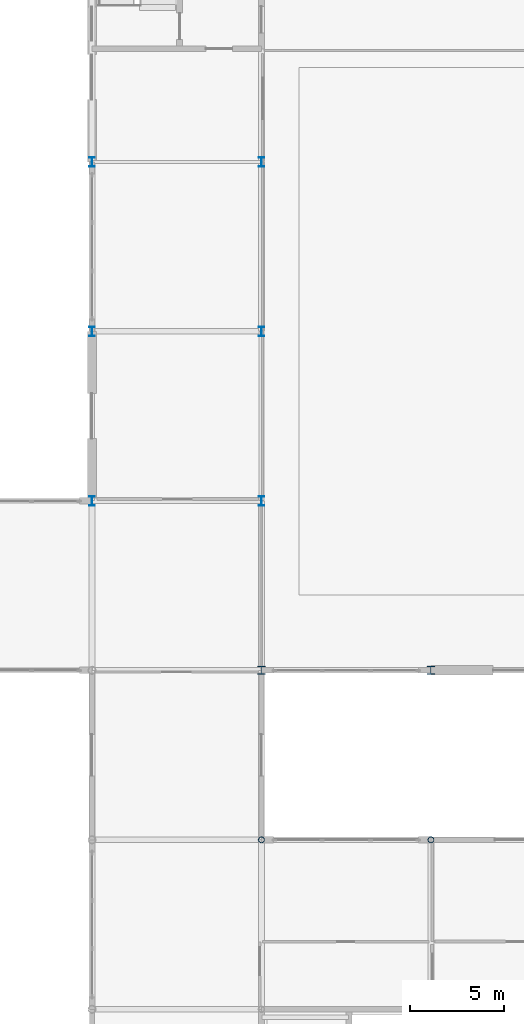
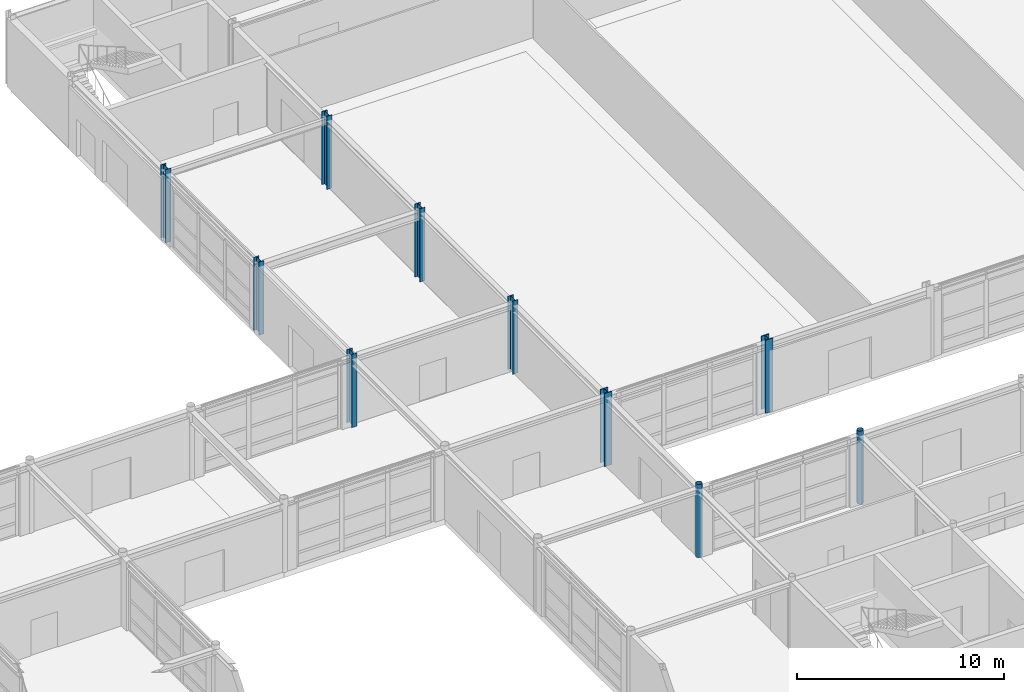
# One storey, part 13 of 72: 10 columns.
"""IFC4 building model written with IfcOpenShell, lengths in metres."""

from ifc_helpers import new_model, si_unit, direction, frame, origin, origin_2d, place, context, subcontext, project, spatial, hollow_circle, i_section, extrude, material, material_profile, profile_set, type_object, element, save


model = new_model("IFC4")

# Units and contexts
model_context = context("Model", 3, precision=1e-05, world=origin(), true_north=direction((0.0, 1.0)))
body_context = subcontext(model_context, "Body", "Model", "MODEL_VIEW")
ifc_project = project(units=[si_unit("LENGTHUNIT", "METRE"), si_unit("AREAUNIT", "SQUARE_METRE"), si_unit("VOLUMEUNIT", "CUBIC_METRE"), si_unit("PLANEANGLEUNIT", "RADIAN"), si_unit("MASSUNIT", "GRAM", prefix="KILO")], contexts=[model_context])

# Site, building, storey
site_placement = place(None, origin())
site = spatial("IfcSite", under=ifc_project, at=site_placement, CompositionType="ELEMENT")
building_placement = place(site_placement, origin())
building = spatial("IfcBuilding", under=site, at=building_placement, Name="Palais des Congres Ocreval", CompositionType="ELEMENT")
storey_placement = place(building_placement, origin())
storey = spatial("IfcBuildingStorey", under=building, at=storey_placement, Name="L00", CompositionType="ELEMENT", Elevation=0.0)

# Columns
ifc_material_1 = material(Name="Steel S355", Category="steel")
ifc_material_profile_1 = material_profile(ifc_material_1, hollow_circle(Radius=0.161865234375, WallThickness=0.01611328125, at=origin_2d()), Name="CHS 323.9x16")
ifc_profile_set_1 = profile_set([ifc_material_profile_1], Name="Steel S355")
column_type_1 = type_object("IfcColumnType", Name="Column CHS 323.9x16 Steel S355", PredefinedType="COLUMN", material=ifc_profile_set_1)
for number, where, z_axis, x_axis, name in (
    (1, (108.0, 63.0, 0.0), (0.0, 0.0, 1.0), (1.0, 0.0, 0.0), "Column C16 L00"),
    (2, (117.0, 63.0, 0.0), (0.0, 0.0, 1.0), (1.0, 0.0, 0.0), "Column C16 L00"),
):
    element("IfcColumn", number, at=place(storey_placement, frame(where, z_axis=z_axis, x_axis=x_axis)), inside=storey, type_object=column_type_1, Name=name, PredefinedType="COLUMN", context=body_context, shape_type="SweptSolid", body=[
        extrude(hollow_circle(Radius=0.161865234375, WallThickness=0.01611328125, at=origin_2d()), origin(), (0.0, 0.0, 1.0), 4.320068359375),
    ])
ifc_material_2 = material(Name="Steel S460", Category="steel")
ifc_material_profile_2 = material_profile(ifc_material_2, i_section(OverallWidth=0.412109375, OverallDepth=0.43505859375, WebThickness=0.027099609375, FlangeThickness=0.0458984375, at=origin_2d()), Name="HD 400x463")
ifc_profile_set_2 = profile_set([ifc_material_profile_2], Name="Steel S460")
column_type_2 = type_object("IfcColumnType", Name="Column HD 400x463 Steel S460", PredefinedType="COLUMN", material=ifc_profile_set_2)
for number, where, z_axis, x_axis, name in (
    (3, (108.0, 72.0, 0.0), (0.0, 0.0, 1.0), (1.0, 0.0, 0.0), "Column C02 L00"),
    (4, (117.0, 72.0, 0.0), (0.0, 0.0, 1.0), (1.0, 0.0, 0.0), "Column C02 L00"),
):
    element("IfcColumn", number, at=place(storey_placement, frame(where, z_axis=z_axis, x_axis=x_axis)), inside=storey, type_object=column_type_2, Name=name, PredefinedType="COLUMN", context=body_context, shape_type="SweptSolid", body=[
        extrude(i_section(OverallWidth=0.412109375, OverallDepth=0.43505859375, WebThickness=0.027099609375, FlangeThickness=0.0458984375, at=origin_2d()), origin(), (0.0, 0.0, 1.0), 4.320068359375),
    ])
ifc_material_profile_3 = material_profile(ifc_material_1, i_section(OverallWidth=0.300048828125, OverallDepth=0.5, WebThickness=0.014404296875, FlangeThickness=0.028076171875, at=origin_2d()), Name="HEB 500")
ifc_profile_set_3 = profile_set([ifc_material_profile_3], Name="Steel S355")
column_type_3 = type_object("IfcColumnType", Name="Column HEB 500 Steel S355", PredefinedType="COLUMN", material=ifc_profile_set_3)
for number, where, z_axis, x_axis, name in (
    (5, (99.0, 81.0, 0.0), (0.0, 0.0, 1.0), (1.0, 0.0, 0.0), "Column C08 L00"),
    (6, (99.0, 90.0, 0.0), (0.0, 0.0, 1.0), (1.0, 0.0, 0.0), "Column C08 L00"),
    (7, (99.0, 99.0, 0.0), (0.0, 0.0, 1.0), (1.0, 0.0, 0.0), "Column C08 L00"),
    (8, (108.0, 81.0, 0.0), (0.0, 0.0, 1.0), (1.0, 0.0, 0.0), "Column C08 L00"),
    (9, (108.0, 90.0, 0.0), (0.0, 0.0, 1.0), (1.0, 0.0, 0.0), "Column C08 L00"),
    (10, (108.0, 99.0, 0.0), (0.0, 0.0, 1.0), (1.0, 0.0, 0.0), "Column C08 L00"),
):
    element("IfcColumn", number, at=place(storey_placement, frame(where, z_axis=z_axis, x_axis=x_axis)), inside=storey, type_object=column_type_3, Name=name, PredefinedType="COLUMN", context=body_context, shape_type="SweptSolid", body=[
        extrude(i_section(OverallWidth=0.300048828125, OverallDepth=0.5, WebThickness=0.014404296875, FlangeThickness=0.028076171875, at=origin_2d()), origin(), (0.0, 0.0, 1.0), 4.320068359375),
    ])

save(model, "model.ifc")
